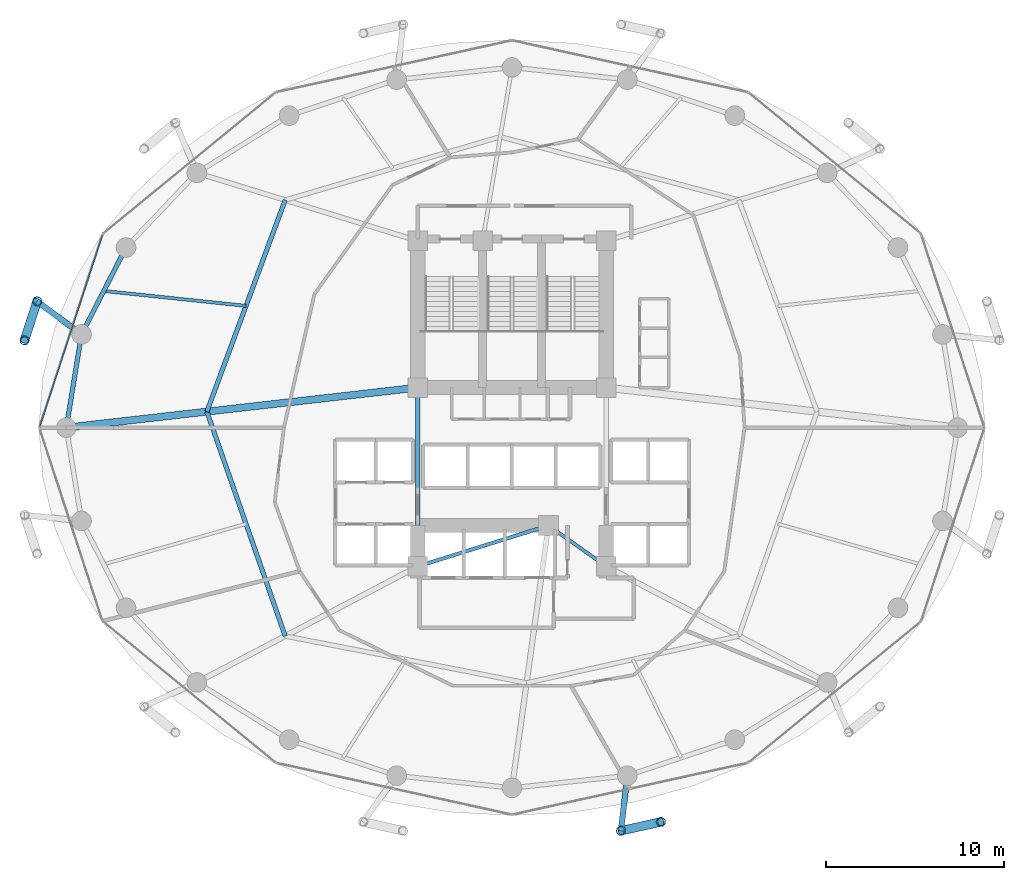
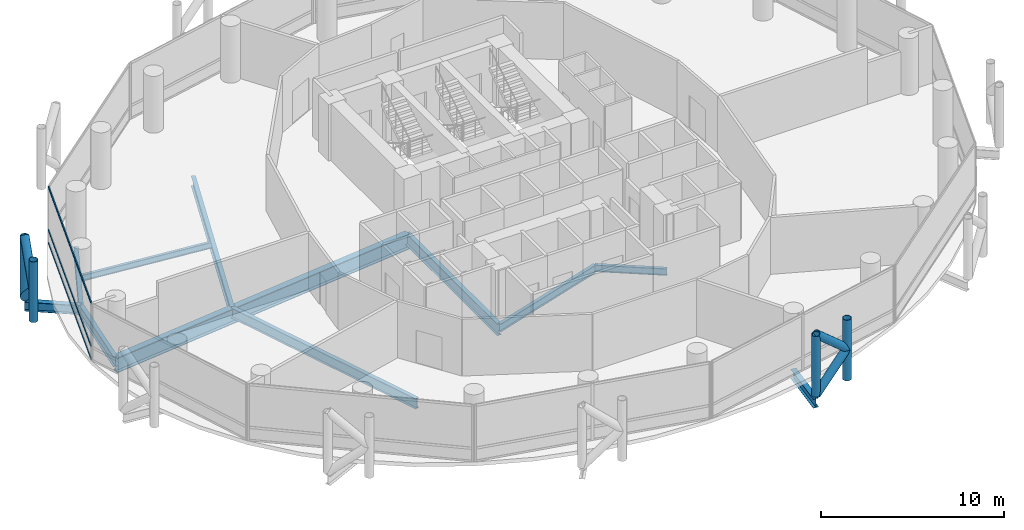
# One storey, part 7 of 24: 11 beams, 11 members, 1 element without a shape of its own.
"""IFC4 building model written with IfcOpenShell, lengths in metres."""

import ifcopenshell
import ifcopenshell.guid

model = None  # the IFC model being written
_history = None  # IfcOwnerHistory: only IFC2X3 demands one
_inside = {}  # id of a spatial element -> (the spatial element, [elements in it])
_under = {}  # id of a project, library or spatial element -> (it, [spatial elements below it])
_declared = {}  # id of a project -> (the project, [libraries it declares])
_typed = {}  # id of a type object -> (the type object, [elements of that type])
_made_of = {}  # id of a material, layer set ... -> (it, [elements and type objects made of it])


def new_model(schema):
    """Start an empty IFC model of exactly this schema.

    Asked for "IFC4X3", IfcOpenShell would pick the latest addendum, in which some entities
    have other attributes; the version numbers below select the first issue.
    IFC2X3 requires an IfcOwnerHistory on every rooted entity: one is made here for all.
    """
    global model, _history
    if schema == "IFC4X3":
        model = ifcopenshell.file(schema_version=(4, 3, 0, 0))
    else:
        model = ifcopenshell.file(schema=schema)
    _inside.clear()
    _under.clear()
    _declared.clear()
    _typed.clear()
    _made_of.clear()
    _history = None
    if model.schema == "IFC2X3":
        org = make("IfcOrganization", Name="unknown")
        user = make(
            "IfcPersonAndOrganization",
            ThePerson=make("IfcPerson", FamilyName="unknown"),
            TheOrganization=org,
        )
        app = make(
            "IfcApplication",
            ApplicationDeveloper=org,
            Version="unknown",
            ApplicationFullName="unknown",
            ApplicationIdentifier="unknown",
        )
        _history = make(
            "IfcOwnerHistory",
            OwningUser=user,
            OwningApplication=app,
            ChangeAction="ADDED",
            CreationDate=0,
        )
    return model


def make(cls, **values):
    """One entity of the class cls with the attributes given. An attribute that is None is left unset."""
    return model.create_entity(
        cls, **{name: value for name, value in values.items() if value is not None}
    )


def rooted(cls, **values):
    """An entity with a GlobalId (a new one), such as an element, a storey or a relation."""
    return make(cls, GlobalId=ifcopenshell.guid.new(), OwnerHistory=_history, **values)


def si_unit(unit_type, name, prefix=None):
    """IfcSIUnit, for example si_unit("LENGTHUNIT", "METRE", prefix="MILLI")."""
    return make("IfcSIUnit", UnitType=unit_type, Prefix=prefix, Name=name)


def assignment(units):
    """IfcUnitAssignment: the units of a project."""
    return None if units is None else make("IfcUnitAssignment", Units=units)


def point(xyz):
    """IfcCartesianPoint."""
    return None if xyz is None else make("IfcCartesianPoint", Coordinates=xyz)


def direction(xyz):
    """IfcDirection."""
    return None if xyz is None else make("IfcDirection", DirectionRatios=xyz)


def frame(location, z_axis=None, x_axis=None):
    """IfcAxis2Placement3D, a coordinate frame: its origin and axes. An axis left out is left unset."""
    return make(
        "IfcAxis2Placement3D",
        Location=point(location),
        Axis=direction(z_axis),
        RefDirection=direction(x_axis),
    )


def frame_2d(location, x_axis=None):
    """IfcAxis2Placement2D, a coordinate frame in the plane: its origin and x axis."""
    return make(
        "IfcAxis2Placement2D", Location=point(location), RefDirection=direction(x_axis)
    )


def origin():
    """The frame at (0, 0, 0) with its axes left unset."""
    return frame((0.0, 0.0, 0.0))


def origin_2d():
    """The frame at (0, 0) in the plane with its x axis left unset."""
    return frame_2d((0.0, 0.0))


def place(relative_to, where):
    """IfcLocalPlacement: puts the frame where relative to a parent placement (None: the world)."""
    return make(
        "IfcLocalPlacement", PlacementRelTo=relative_to, RelativePlacement=where
    )


def context(
    kind, dimensions, precision=None, world=None, true_north=None, identifier=None
):
    """IfcGeometricRepresentationContext, for example the 3D "Model" context."""
    return make(
        "IfcGeometricRepresentationContext",
        ContextIdentifier=identifier,
        ContextType=kind,
        CoordinateSpaceDimension=dimensions,
        Precision=precision,
        WorldCoordinateSystem=world,
        TrueNorth=true_north,
    )


def subcontext(parent, identifier, kind, view, scale=None):
    """IfcGeometricRepresentationSubContext, for example "Body" below "Model"."""
    return make(
        "IfcGeometricRepresentationSubContext",
        ContextIdentifier=identifier,
        ContextType=kind,
        ParentContext=parent,
        TargetScale=scale,
        TargetView=view,
    )


def project(units=None, contexts=None):
    """IfcProject with its units and contexts."""
    return rooted(
        "IfcProject",
        Name="project",
        RepresentationContexts=contexts,
        UnitsInContext=assignment(units),
    )


def spatial(cls, under=None, at=None, **own):
    """A site, building, storey or space (cls), placed at a placement, below another one or the project."""
    s = rooted(cls, ObjectPlacement=at, **own)
    if under is not None:
        _under.setdefault(under.id(), (under, []))[1].append(s)
    return s


def profile(cls, at=None, kind="AREA", **sizes):
    """A parametric profile (cls). Its sizes go by their IFC names, for example OverallWidth=200.0."""
    return make(cls, ProfileType=kind, Position=at, **sizes)


def hollow_rectangle(**sizes):
    """IfcRectangleHollowProfileDef."""
    return profile("IfcRectangleHollowProfileDef", **sizes)


def hollow_circle(**sizes):
    """IfcCircleHollowProfileDef."""
    return profile("IfcCircleHollowProfileDef", **sizes)


def i_section(**sizes):
    """IfcIShapeProfileDef."""
    return profile("IfcIShapeProfileDef", **sizes)


def extrude(swept, where, along, depth):
    """IfcExtrudedAreaSolid: the profile swept, set in the frame where, extruded along a direction by depth."""
    return make(
        "IfcExtrudedAreaSolid",
        SweptArea=swept,
        Position=where,
        ExtrudedDirection=direction(along),
        Depth=depth,
    )


def shape(context_of_items, identifier, shape_type, items):
    """IfcShapeRepresentation: the items that make up one representation, for example the "Body"."""
    return make(
        "IfcShapeRepresentation",
        ContextOfItems=context_of_items,
        RepresentationIdentifier=identifier,
        RepresentationType=shape_type,
        Items=items,
    )


def material(Name=None, Category=None):
    """IfcMaterial."""
    return make("IfcMaterial", Name=Name, Category=Category)


def layer(
    of_material, thickness, ventilated=None, Name=None, Category=None, Priority=None
):
    """IfcMaterialLayer: one layer of a wall or slab, of a material (None: an air gap)."""
    return make(
        "IfcMaterialLayer",
        Material=of_material,
        LayerThickness=thickness,
        IsVentilated=ventilated,
        Name=Name,
        Category=Category,
        Priority=Priority,
    )


def layer_set(layers, Name=None):
    """IfcMaterialLayerSet."""
    return make("IfcMaterialLayerSet", MaterialLayers=layers, LayerSetName=Name)


def material_profile(
    of_material, cross_section, Name=None, Category=None, Priority=None
):
    """IfcMaterialProfile: a cross section and its material."""
    return make(
        "IfcMaterialProfile",
        Name=Name,
        Material=of_material,
        Profile=cross_section,
        Priority=Priority,
        Category=Category,
    )


def profile_set(profiles, Name=None, composite=None):
    """IfcMaterialProfileSet."""
    return make(
        "IfcMaterialProfileSet",
        Name=Name,
        MaterialProfiles=profiles,
        CompositeProfile=composite,
    )


def made_of(thing, what):
    """Note that an element or type object is made of a material, layer set ...; save() writes the relation."""
    if what is not None:
        _made_of.setdefault(what.id(), (what, []))[1].append(thing)
    return thing


def type_object(cls, material=None, **own):
    """A type object (cls), such as IfcWallType, which elements share."""
    return made_of(rooted(cls, **own), material)


def element(
    cls,
    number,
    at=None,
    inside=None,
    cuts=None,
    type_object=None,
    material=None,
    context=None,
    identifier="Body",
    shape_type=None,
    held_by="IfcProductDefinitionShape",
    body=None,
    shapes=None,
    **own,
):
    """One element of the class cls, such as IfcWall. Its Tag is "e" and its number.

    at: its placement. inside: the storey or other place that contains it. cuts: it is an
    opening in that element (IfcRelVoidsElement). A single representation is given by context,
    identifier, shape_type and body (its items); several are given by shapes. held_by: the class
    of the entity that holds the representations. save() writes the other relations.
    """
    e = rooted(cls, Tag="e%d" % number, ObjectPlacement=at, **own)
    if body is not None:
        shapes = [shape(context, identifier, shape_type, body)]
    if shapes is not None:
        e.Representation = make(held_by, Representations=shapes)
    if inside is not None:
        _inside.setdefault(inside.id(), (inside, []))[1].append(e)
    if cuts is not None:
        rooted(
            "IfcRelVoidsElement", RelatingBuildingElement=cuts, RelatedOpeningElement=e
        )
    if type_object is not None:
        _typed.setdefault(type_object.id(), (type_object, []))[1].append(e)
    return made_of(e, material)


def aggregate(whole, parts):
    """IfcRelAggregates: a whole, such as a stair, and the parts it consists of."""
    return rooted("IfcRelAggregates", RelatingObject=whole, RelatedObjects=parts)


def save(model, path):
    """Write the relations noted so far, then the file.

    IfcRelAggregates (storeys below a building ...), IfcRelContainedInSpatialStructure (elements
    in a storey), IfcRelDefinesByType, IfcRelAssociatesMaterial and IfcRelDeclares: one each for
    every whole, place, type object, material and project.
    """
    for whole, parts in _under.values():
        aggregate(whole, parts)
    for where, things in _inside.values():
        rooted(
            "IfcRelContainedInSpatialStructure",
            RelatedElements=things,
            RelatingStructure=where,
        )
    for kind, things in _typed.values():
        rooted("IfcRelDefinesByType", RelatedObjects=things, RelatingType=kind)
    for what, things in _made_of.values():
        rooted("IfcRelAssociatesMaterial", RelatedObjects=things, RelatingMaterial=what)
    for by, libraries in _declared.values():
        rooted("IfcRelDeclares", RelatingContext=by, RelatedDefinitions=libraries)
    model.write(path)


model = new_model("IFC4")

# Units and contexts
model_context = context("Model", 3, precision=1e-05, world=origin(), true_north=direction((0.0, 1.0)))
body_context = subcontext(model_context, "Body", "Model", "MODEL_VIEW")
ifc_project = project(units=[si_unit("LENGTHUNIT", "METRE"), si_unit("AREAUNIT", "SQUARE_METRE"), si_unit("VOLUMEUNIT", "CUBIC_METRE"), si_unit("PLANEANGLEUNIT", "RADIAN"), si_unit("MASSUNIT", "GRAM", prefix="KILO")], contexts=[model_context])

# Site, building, storey
site_placement = place(None, origin())
site = spatial("IfcSite", under=ifc_project, at=site_placement, CompositionType="ELEMENT")
building_placement = place(site_placement, origin())
building = spatial("IfcBuilding", under=site, at=building_placement, Name="Nuhasar Tower", CompositionType="ELEMENT")
storey_placement = place(building_placement, frame((0.0, 0.0, 25.050048828125)))
storey = spatial("IfcBuildingStorey", under=building, at=storey_placement, Name="L05", CompositionType="ELEMENT", Elevation=25.050048828125)

# Beams
ifc_material_1 = material(Name="Steel S355", Category="steel")
ifc_material_profile_1 = material_profile(ifc_material_1, i_section(OverallWidth=0.25390625, OverallDepth=0.68408203125, WebThickness=0.012451171875, FlangeThickness=0.018798828125, at=origin_2d()), Name="W27X94")
ifc_profile_set_1 = profile_set([ifc_material_profile_1], Name="Steel S355")
beam_type_1 = type_object("IfcBeamType", Name="BM-INRING-W27X94", PredefinedType="BEAM", material=ifc_profile_set_1)
beam_1_placement = place(storey_placement, frame((26.251953125, 39.591064453125, -0.60205078125), z_axis=(-0.34715757476, -0.937806812881, 0.0), x_axis=(0.937806812881, -0.34715757476, 0.0)))
element("IfcBeam", 1, at=beam_1_placement, inside=storey, type_object=beam_type_1, Name="L05 Inner Header Beam 07", PredefinedType="BEAM", context=body_context, shape_type="SweptSolid", body=[
    extrude(i_section(OverallWidth=0.25390625, OverallDepth=0.68408203125, WebThickness=0.012451171875, FlangeThickness=0.018798828125, at=origin_2d()), origin(), (0.0, 0.0, 1.0), 12.6796875),
])
beam_2_placement = place(storey_placement, frame((21.85009765625, 27.699951171875, -0.60205078125), z_axis=(0.329554049858, -0.944136710558, 0.0), x_axis=(0.944136710558, 0.329554049858, 0.0)))
element("IfcBeam", 2, at=beam_2_placement, inside=storey, type_object=beam_type_1, Name="L05 Inner Header Beam 08", PredefinedType="BEAM", context=body_context, shape_type="SweptSolid", body=[
    extrude(i_section(OverallWidth=0.25390625, OverallDepth=0.68408203125, WebThickness=0.012451171875, FlangeThickness=0.018798828125, at=origin_2d()), origin(), (0.0, 0.0, 1.0), 13.35693359375),
])
ifc_material_profile_2 = material_profile(ifc_material_1, i_section(OverallWidth=0.177978515625, OverallDepth=0.406005859375, WebThickness=0.0078125, FlangeThickness=0.0126953125, at=origin_2d()), Name="W16X40")
ifc_profile_set_2 = profile_set([ifc_material_profile_2], Name="Steel S355")
beam_type_2 = type_object("IfcBeamType", Name="BM-JST-W16X40", PredefinedType="JOIST", material=ifc_profile_set_2)
beam_3_placement = place(storey_placement, frame((24.051025390625, 33.64501953125, -0.463134765625), z_axis=(-0.994554594377, 0.104216883485, 0.0), x_axis=(-0.104216883485, -0.994554594377, 0.0)))
element("IfcBeam", 3, at=beam_3_placement, inside=storey, type_object=beam_type_2, Name="L05 Secondary Floor Joist 07", PredefinedType="JOIST", context=body_context, shape_type="SweptSolid", body=[
    extrude(i_section(OverallWidth=0.177978515625, OverallDepth=0.406005859375, WebThickness=0.0078125, FlangeThickness=0.0126953125, at=origin_2d()), origin(), (0.0, 0.0, 1.0), 8.039794921875),
])
ifc_material_profile_3 = material_profile(ifc_material_1, i_section(OverallWidth=0.18994140625, OverallDepth=0.45703125, WebThickness=0.009033203125, FlangeThickness=0.014404296875, at=origin_2d()), Name="W18X50")
ifc_profile_set_3 = profile_set([ifc_material_profile_3], Name="Steel S355")
beam_type_3 = type_object("IfcBeamType", Name="BM-RAD-W18X50", PredefinedType="BEAM", material=ifc_profile_set_3)
beam_4_placement = place(storey_placement, frame((41.050048828125, 21.300048828125, -0.489013671875), z_axis=(0.816265428953, -0.577677028708, 0.0), x_axis=(0.577677028708, 0.816265428953, 0.0)))
element("IfcBeam", 4, at=beam_4_placement, inside=storey, type_object=beam_type_3, Name="L05 Core Ring Girder 2", PredefinedType="BEAM", context=body_context, shape_type="SweptSolid", body=[
    extrude(i_section(OverallWidth=0.18994140625, OverallDepth=0.45703125, WebThickness=0.009033203125, FlangeThickness=0.014404296875, at=origin_2d()), origin(), (0.0, 0.0, 1.0), 3.9814453125),
])
ifc_material_profile_4 = material_profile(ifc_material_1, i_section(OverallWidth=0.208984375, OverallDepth=0.532958984375, WebThickness=0.01025390625, FlangeThickness=0.015625, at=origin_2d()), Name="W21X62")
ifc_profile_set_4 = profile_set([ifc_material_profile_4], Name="Steel S355")
beam_type_4 = type_object("IfcBeamType", Name="BM-RAD-W21X62", PredefinedType="BEAM", material=ifc_profile_set_4)
beam_5_placement = place(storey_placement, frame((33.699951171875, 19.0, -0.527099609375), z_axis=(0.954363709454, 0.298646798205, 0.0), x_axis=(-0.298646798205, 0.954363709454, 0.0)))
element("IfcBeam", 5, at=beam_5_placement, inside=storey, type_object=beam_type_4, Name="L05 Core Ring Girder 1", PredefinedType="BEAM", context=body_context, shape_type="SweptSolid", body=[
    extrude(i_section(OverallWidth=0.208984375, OverallDepth=0.532958984375, WebThickness=0.01025390625, FlangeThickness=0.015625, at=origin_2d()), origin(), (0.0, 0.0, 1.0), 7.70166015625),
])
ifc_material_profile_5 = material_profile(ifc_material_1, i_section(OverallWidth=0.26611328125, OverallDepth=0.779052734375, WebThickness=0.0166015625, FlangeThickness=0.030029296875, at=origin_2d()), Name="W30X148")
ifc_profile_set_5 = profile_set([ifc_material_profile_5], Name="Steel S355")
beam_type_5 = type_object("IfcBeamType", Name="BM-RAD-W30X148", PredefinedType="BEAM", material=ifc_profile_set_5)
beam_6_placement = place(storey_placement, frame((33.699951171875, 29.050048828125, -0.650146484375), z_axis=(0.0, -1.0, 0.0), x_axis=(1.0, 0.0, 0.0)))
element("IfcBeam", 6, at=beam_6_placement, inside=storey, type_object=beam_type_5, Name="L05 Core Ring Girder 8", PredefinedType="BEAM", context=body_context, shape_type="SweptSolid", body=[
    extrude(i_section(OverallWidth=0.26611328125, OverallDepth=0.779052734375, WebThickness=0.0166015625, FlangeThickness=0.030029296875, at=origin_2d()), origin(), (0.0, 0.0, 1.0), 10.050048828125),
])
ifc_material_profile_6 = material_profile(ifc_material_1, i_section(OverallWidth=0.256103515625, OverallDepth=0.693115234375, WebThickness=0.014404296875, FlangeThickness=0.023681640625, at=origin_2d()), Name="W27X114")
ifc_profile_set_6 = profile_set([ifc_material_profile_6], Name="Steel S355")
beam_type_6 = type_object("IfcBeamType", Name="BM-RING-W27X114", PredefinedType="SPANDREL", material=ifc_profile_set_6)
beam_7_placement = place(storey_placement, frame((17.305908203125, 36.925048828125, -0.60595703125), z_axis=(-0.455930023905, -0.890015625314, 0.0), x_axis=(0.890015625314, -0.455930023905, 0.0)))
element("IfcBeam", 7, at=beam_7_placement, inside=storey, type_object=beam_type_6, Name="L05 Perimeter Ring Spandrel 11", PredefinedType="SPANDREL", context=body_context, shape_type="SweptSolid", body=[
    extrude(i_section(OverallWidth=0.256103515625, OverallDepth=0.693115234375, WebThickness=0.014404296875, FlangeThickness=0.023681640625, at=origin_2d()), origin(), (0.0, 0.0, 1.0), 5.487548828125),
])
beam_8_placement = place(storey_placement, frame((14.803955078125, 32.041015625, -0.60595703125), z_axis=(-0.160826635486, -0.986982671235, 0.0), x_axis=(0.986982671235, -0.160826635486, 0.0)))
element("IfcBeam", 8, at=beam_8_placement, inside=storey, type_object=beam_type_6, Name="L05 Perimeter Ring Spandrel 12", PredefinedType="SPANDREL", context=body_context, shape_type="SweptSolid", body=[
    extrude(i_section(OverallWidth=0.256103515625, OverallDepth=0.693115234375, WebThickness=0.014404296875, FlangeThickness=0.023681640625, at=origin_2d()), origin(), (0.0, 0.0, 1.0), 5.31005859375),
])
ifc_material_profile_7 = material_profile(ifc_material_1, i_section(OverallWidth=0.323974609375, OverallDepth=0.611083984375, WebThickness=0.0126953125, FlangeThickness=0.01904296875, at=origin_2d()), Name="W24X104")
ifc_profile_set_7 = profile_set([ifc_material_profile_7], Name="Steel S355")
beam_type_7 = type_object("IfcBeamType", Name="BM-TIE-W24X104", PredefinedType="BEAM", material=ifc_profile_set_7)
beam_9_placement = place(storey_placement, frame((14.803955078125, 32.041015625, -0.56494140625), z_axis=(-0.802151061326, 0.597121155892, 0.0), x_axis=(-0.597121155892, -0.802151061326, 0.0)))
element("IfcBeam", 9, at=beam_9_placement, inside=storey, type_object=beam_type_7, Name="L05 Exoskeleton Node Tie Beam 06", PredefinedType="BEAM", context=body_context, shape_type="SweptSolid", body=[
    extrude(i_section(OverallWidth=0.323974609375, OverallDepth=0.611083984375, WebThickness=0.0126953125, FlangeThickness=0.01904296875, at=origin_2d()), origin(), (0.0, 0.0, 1.0), 3.111328125),
])
beam_10_placement = place(storey_placement, frame((45.48291015625, 7.239990234375, -0.56494140625), z_axis=(-0.115042934281, -0.993360520291, 0.0), x_axis=(0.993360520291, -0.115042934281, 0.0)))
element("IfcBeam", 10, at=beam_10_placement, inside=storey, type_object=beam_type_7, Name="L05 Exoskeleton Node Tie Beam 10", PredefinedType="BEAM", context=body_context, shape_type="SweptSolid", body=[
    extrude(i_section(OverallWidth=0.323974609375, OverallDepth=0.611083984375, WebThickness=0.0126953125, FlangeThickness=0.01904296875, at=origin_2d()), origin(), (0.0, 0.0, 1.0), 3.11962890625),
])
ifc_material_2 = material(Name="Steel S460", Category="steel")
ifc_material_profile_8 = material_profile(ifc_material_2, i_section(OverallWidth=0.40087890625, OverallDepth=1.010009765625, WebThickness=0.023681640625, FlangeThickness=0.0419921875, at=origin_2d()), Name="W40X297")
ifc_profile_set_8 = profile_set([ifc_material_profile_8], Name="Steel S460")
beam_type_8 = type_object("IfcBeamType", Name="BM-XFER-W40X297", PredefinedType="USERDEFINED", material=ifc_profile_set_8)
beam_11_placement = place(storey_placement, frame((33.699951171875, 29.050048828125, -0.76513671875), z_axis=(-0.993573147212, -0.113191877531, 0.0), x_axis=(0.113191877531, -0.993573147212, 0.0)))
element("IfcBeam", 11, at=beam_11_placement, inside=storey, type_object=beam_type_8, Name="L05 Radial Floor Girder 08", ObjectType="GIRDER", PredefinedType="USERDEFINED", context=body_context, shape_type="SweptSolid", body=[
    extrude(i_section(OverallWidth=0.40087890625, OverallDepth=1.010009765625, WebThickness=0.023681640625, FlangeThickness=0.0419921875, at=origin_2d()), origin(), (0.0, 0.0, 1.0), 19.877685546875),
])

# Curtain wall, members
ifc_material_3 = material(Name="Aluminium 6063-T6", Category="aluminium")
ifc_layer = layer(ifc_material_3, 0.199951171875)
ifc_layer_set = layer_set([ifc_layer], Name="Aluminium 6063-T6")
curtain_wall_type = type_object("IfcCurtainWallType", Name="CW-Z1-OFF", PredefinedType="NOTDEFINED", material=ifc_layer_set)
curtain_wall_placement = place(storey_placement, origin())
curtain_wall = element("IfcCurtainWall", 12, at=curtain_wall_placement, inside=storey, type_object=curtain_wall_type, Name="L05 Unitised Curtain Wall 06", PredefinedType="NOTDEFINED")
ifc_material_profile_9 = material_profile(ifc_material_3, hollow_rectangle(XDim=0.06494140625, YDim=0.14990234375, WallThickness=0.00439453125, at=origin_2d()), Name="CWT-2")
ifc_profile_set_9 = profile_set([ifc_material_profile_9], Name="Aluminium 6063-T6")
member_type_1 = type_object("IfcMemberType", Name="CW-TRN-S2", PredefinedType="USERDEFINED", material=ifc_profile_set_9)
member_1_placement = place(storey_placement, frame((15.977783203125, 37.6181640625, 0.032470703125), z_axis=(-0.31082506089, -0.950467138581, 0.0), x_axis=(0.950467138581, -0.31082506089, 0.0)))
member_1 = element("IfcMember", 13, at=member_1_placement, type_object=member_type_1, Name="CW-Z1 transom 1.1", ObjectType="TRANSOM", PredefinedType="USERDEFINED", context=body_context, shape_type="SweptSolid", body=[
    extrude(hollow_rectangle(XDim=0.06494140625, YDim=0.14990234375, WallThickness=0.00439453125, at=origin_2d()), origin(), (0.0, 0.0, 1.0), 11.31689453125),
])
member_2_placement = place(storey_placement, frame((15.977783203125, 37.6181640625, 0.89990234375), z_axis=(-0.31082506089, -0.950467138581, 0.0), x_axis=(0.950467138581, -0.31082506089, 0.0)))
member_2 = element("IfcMember", 14, at=member_2_placement, type_object=member_type_1, Name="CW-Z1 transom 1.2", ObjectType="TRANSOM", PredefinedType="USERDEFINED", context=body_context, shape_type="SweptSolid", body=[
    extrude(hollow_rectangle(XDim=0.06494140625, YDim=0.14990234375, WallThickness=0.00439453125, at=origin_2d()), origin(), (0.0, 0.0, 1.0), 11.31689453125),
])
member_3_placement = place(storey_placement, frame((15.977783203125, 37.6181640625, 3.757568359375), z_axis=(-0.31082506089, -0.950467138581, 0.0), x_axis=(0.950467138581, -0.31082506089, 0.0)))
member_3 = element("IfcMember", 15, at=member_3_placement, type_object=member_type_1, Name="CW-Z1 transom 1.3", ObjectType="TRANSOM", PredefinedType="USERDEFINED", context=body_context, shape_type="SweptSolid", body=[
    extrude(hollow_rectangle(XDim=0.06494140625, YDim=0.14990234375, WallThickness=0.00439453125, at=origin_2d()), origin(), (0.0, 0.0, 1.0), 11.31689453125),
])
aggregate(curtain_wall, [member_1, member_2, member_3])

# Members
ifc_material_profile_10 = material_profile(ifc_material_2, hollow_circle(Radius=0.25390625, WallThickness=0.025390625, at=origin_2d()), Name="HSS508X25.4")
ifc_profile_set_10 = profile_set([ifc_material_profile_10], Name="Steel S460")
member_type_2 = type_object("IfcMemberType", Name="EXO-BRONZE-508", PredefinedType="BRACE", material=ifc_profile_set_10)
for number, where, z_axis, x_axis, name in (
    (16, (12.30810546875, 33.89892578125, 0.0), (0.0, 0.0, 1.0), (1.0, 0.0, 0.0), "L05 Exoskeleton Chord Column EC-06A"),
    (17, (11.60009765625, 31.7099609375, 0.0), (0.0, 0.0, 1.0), (1.0, 0.0, 0.0), "L05 Exoskeleton Chord Column EC-06B"),
    (18, (45.1240234375, 4.14111328125, 0.0), (0.0, 0.0, 1.0), (1.0, 0.0, 0.0), "L05 Exoskeleton Chord Column EC-10A"),
    (19, (47.3701171875, 4.639892578125, 0.0), (0.0, 0.0, 1.0), (1.0, 0.0, 0.0), "L05 Exoskeleton Chord Column EC-10B"),
):
    element("IfcMember", number, at=place(storey_placement, frame(where, z_axis=z_axis, x_axis=x_axis)), inside=storey, type_object=member_type_2, Name=name, PredefinedType="BRACE", context=body_context, shape_type="SweptSolid", body=[
        extrude(hollow_circle(Radius=0.25390625, WallThickness=0.025390625, at=origin_2d()), origin(), (0.0, 0.0, 1.0), 4.050048828125),
    ])
member_4_placement = place(storey_placement, frame((12.30810546875, 33.89892578125, 0.0), z_axis=(-0.231011836313, -0.714224870475, 0.660693851854), x_axis=(0.951468282519, -0.307746823478, 0.0)))
element("IfcMember", 20, at=member_4_placement, inside=storey, type_object=member_type_2, Name="L05 Bronze Diagrid Brace W1-06", PredefinedType="BRACE", context=body_context, shape_type="SweptSolid", body=[
    extrude(hollow_circle(Radius=0.25390625, WallThickness=0.025390625, at=origin_2d()), origin(), (0.0, 0.0, 1.0), 3.064697265625),
])
for number, where, z_axis, x_axis, name in (
    (21, (11.60009765625, 31.7099609375, 2.02490234375), (0.230999678299, 0.714187281251, 0.660738734997), (-0.951468282519, 0.307746823478, 0.0), "L05 Bronze Diagrid Brace W2-06"),
    (22, (45.1240234375, 4.14111328125, 0.0), (0.732830973624, 0.162736269469, 0.66066305383), (-0.216784396973, 0.976219506683, 0.0), "L05 Bronze Diagrid Brace W1-10"),
):
    element("IfcMember", number, at=place(storey_placement, frame(where, z_axis=z_axis, x_axis=x_axis)), inside=storey, type_object=member_type_2, Name=name, PredefinedType="BRACE", context=body_context, shape_type="SweptSolid", body=[
        extrude(hollow_circle(Radius=0.25390625, WallThickness=0.025390625, at=origin_2d()), origin(), (0.0, 0.0, 1.0), 3.06494140625),
    ])
member_5_placement = place(storey_placement, frame((47.3701171875, 4.639892578125, 2.02490234375), z_axis=(-0.732792408767, -0.162727705556, 0.660707938122), x_axis=(0.216784396973, -0.976219506683, 0.0)))
element("IfcMember", 23, at=member_5_placement, inside=storey, type_object=member_type_2, Name="L05 Bronze Diagrid Brace W2-10", PredefinedType="BRACE", context=body_context, shape_type="SweptSolid", body=[
    extrude(hollow_circle(Radius=0.25390625, WallThickness=0.025390625, at=origin_2d()), origin(), (0.0, 0.0, 1.0), 3.065185546875),
])

save(model, "model.ifc")
